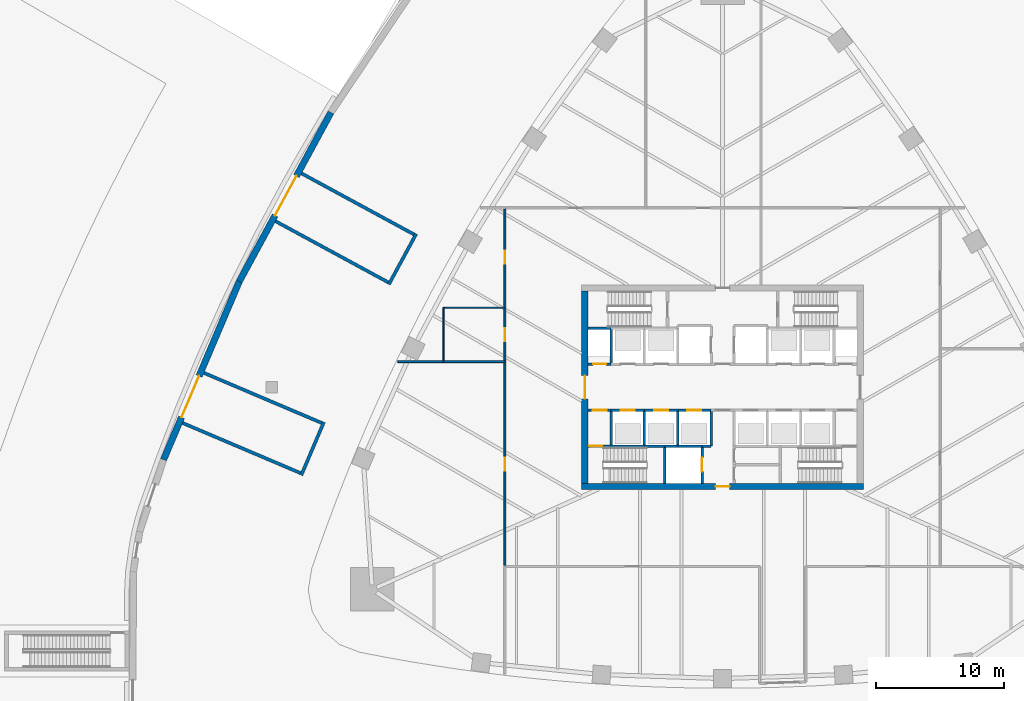
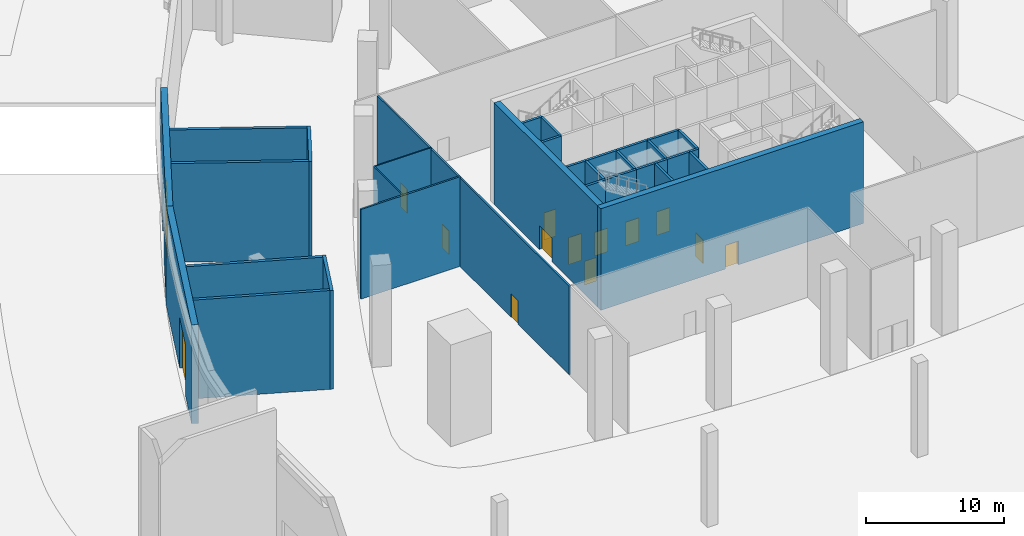
# One storey, part 11 of 29: 33 walls, 14 doors, 14 openings.
"""IFC4 building model written with IfcOpenShell, lengths in metres."""

from ifc_helpers import new_model, si_unit, direction, frame, frame_2d, origin, place, context, subcontext, project, spatial, rectangle, extrude, material, layer, layer_set, type_object, element, fill, save


model = new_model("IFC4")

# Units and contexts
model_context = context("Model", 3, precision=1e-05, world=origin(), true_north=direction((0.0, 1.0)))
body_context = subcontext(model_context, "Body", "Model", "MODEL_VIEW")
ifc_project = project(units=[si_unit("LENGTHUNIT", "METRE"), si_unit("AREAUNIT", "SQUARE_METRE"), si_unit("VOLUMEUNIT", "CUBIC_METRE"), si_unit("PLANEANGLEUNIT", "RADIAN"), si_unit("MASSUNIT", "GRAM", prefix="KILO")], contexts=[model_context])

# Site, building, storey
site_placement = place(None, origin())
site = spatial("IfcSite", under=ifc_project, at=site_placement, CompositionType="ELEMENT")
building_placement = place(site_placement, origin())
building = spatial("IfcBuilding", under=site, at=building_placement, Name="Sierra Prisma Convention Tower", CompositionType="ELEMENT")
storey_placement = place(building_placement, origin())
storey = spatial("IfcBuildingStorey", under=building, at=storey_placement, Name="L00", CompositionType="ELEMENT", Elevation=0.0)

# Walls
ifc_material_1 = material(Name="Gypsum board partition", Category="gypsum")
ifc_layer_1 = layer(ifc_material_1, 0.10009765625)
ifc_layer_set_1 = layer_set([ifc_layer_1], Name="Bathroom partition 100")
wall_type_1 = type_object("IfcWallType", Name="Bathroom partition 100", PredefinedType="PARTITIONING", material=ifc_layer_set_1)
wall_1_placement = place(storey_placement, frame((-21.800048828125, 2.030029296875, 0.0), z_axis=(0.0, 0.0, 1.0), x_axis=(0.0, 1.0, 0.0)))
element("IfcWall", 1, at=wall_1_placement, inside=storey, type_object=wall_type_1, Name="Partition L00 bath 1", PredefinedType="PARTITIONING", context=body_context, shape_type="SweptSolid", body=[
    extrude(rectangle(XDim=4.169921875, YDim=0.10009765625, at=frame_2d((2.0849609375, 0.0))), origin(), (0.0, 0.0, 1.0), 7.93994140625),
])
wall_2_placement = place(storey_placement, frame((-21.800048828125, 6.199951171875, 0.0), z_axis=(0.0, 0.0, 1.0), x_axis=(1.0, 0.0, 0.0)))
element("IfcWall", 2, at=wall_2_placement, inside=storey, type_object=wall_type_1, Name="Partition L00 bath 2", PredefinedType="PARTITIONING", context=body_context, shape_type="SweptSolid", body=[
    extrude(rectangle(XDim=4.77001953125, YDim=0.10009765625, at=frame_2d((2.385009765625, 0.0))), origin(), (0.0, 0.0, 1.0), 7.93994140625),
])

# Wall, opening, door
ifc_material_2 = material(Name="Concrete C30/37", Category="concrete")
ifc_layer_2 = layer(ifc_material_2, 0.199951171875)
ifc_layer_set_2 = layer_set([ifc_layer_2], Name="Core wall RC 200 C30/37")
wall_type_2 = type_object("IfcWallType", Name="Core wall RC 200 C30/37", PredefinedType="SOLIDWALL", material=ifc_layer_set_2)
wall_3_placement = place(storey_placement, frame((-10.5, -4.60009765625, 0.0), z_axis=(0.0, 0.0, 1.0), x_axis=(1.0, 0.0, 0.0)))
wall_3 = element("IfcWall", 3, at=wall_3_placement, inside=storey, type_object=wall_type_2, Name="Core wall L00 1", PredefinedType="SOLIDWALL", context=body_context, shape_type="SweptSolid", body=[
    extrude(rectangle(XDim=1.800048828125, YDim=0.199951171875, at=frame_2d((0.89990234375, 0.0))), origin(), (0.0, 0.0, 1.0), 8.75),
])
opening_1_placement = place(wall_3_placement, frame((0.10009765625, 0.0, 0.0)))
opening_1 = element("IfcOpeningElement", 4, at=opening_1_placement, cuts=wall_3, Name="Opening L00-D020", PredefinedType="OPENING", context=body_context, shape_type="SweptSolid", body=[
    extrude(rectangle(XDim=1.0, YDim=2.10009765625, at=frame_2d((0.5, 1.050048828125))), frame((0.0, 0.10009765625, 0.0), z_axis=(0.0, -1.0, 0.0), x_axis=(1.0, 0.0, 0.0)), (0.0, 0.0, 1.0), 0.199951171875),
])
ifc_material_3 = material(Name="Steel fire door leaf", Category="steel")
door_type_1 = type_object("IfcDoorType", Name="Door 1000x2100 FD90S", OperationType="SINGLE_SWING_LEFT", PredefinedType="DOOR", material=ifc_material_3)
door_1_placement = place(opening_1_placement, origin())
door_1 = element("IfcDoor", 5, at=door_1_placement, inside=storey, type_object=door_type_1, Name="Door L00 32", OperationType="SINGLE_SWING_LEFT", OverallHeight=2.10009765625, OverallWidth=1.0, PredefinedType="DOOR", context=body_context, shape_type="SweptSolid", body=[
    extrude(rectangle(XDim=1.0, YDim=2.10009765625, at=frame_2d((0.5, 1.050048828125))), frame((0.0, 0.02490234375, 0.0), z_axis=(0.0, -1.0, 0.0), x_axis=(1.0, 0.0, 0.0)), (0.0, 0.0, 1.0), 0.050048828125),
])
fill(opening_1, door_1)

wall_4_placement = place(storey_placement, frame((-10.5, -1.800048828125, 0.0), z_axis=(0.0, 0.0, 1.0), x_axis=(1.0, 0.0, 0.0)))
wall_4 = element("IfcWall", 6, at=wall_4_placement, inside=storey, type_object=wall_type_2, Name="Core wall L00 2", PredefinedType="SOLIDWALL", context=body_context, shape_type="SweptSolid", body=[
    extrude(rectangle(XDim=1.800048828125, YDim=0.199951171875, at=frame_2d((0.89990234375, 0.0))), origin(), (0.0, 0.0, 1.0), 8.75),
])
opening_2_placement = place(wall_4_placement, frame((0.35009765625, 0.0, 0.0)))
opening_2 = element("IfcOpeningElement", 7, at=opening_2_placement, cuts=wall_4, Name="Opening L00-D014", PredefinedType="OPENING", context=body_context, shape_type="SweptSolid", body=[
    extrude(rectangle(XDim=1.10009765625, YDim=2.39990234375, at=frame_2d((0.550048828125, 1.199951171875))), frame((0.0, 0.10009765625, 0.0), z_axis=(0.0, -1.0, 0.0), x_axis=(1.0, 0.0, 0.0)), (0.0, 0.0, 1.0), 0.199951171875),
])
ifc_material_4 = material(Name="Steel fire door leaf", Category="steel")
door_type_2 = type_object("IfcDoorType", Name="Door 1100x2400 FD90S", OperationType="SINGLE_SWING_LEFT", PredefinedType="DOOR", material=ifc_material_4)
door_2_placement = place(opening_2_placement, origin())
door_2 = element("IfcDoor", 8, at=door_2_placement, inside=storey, type_object=door_type_2, Name="Door L00 26", OperationType="SINGLE_SWING_LEFT", OverallHeight=2.39990234375, OverallWidth=1.10009765625, PredefinedType="DOOR", context=body_context, shape_type="SweptSolid", body=[
    extrude(rectangle(XDim=1.10009765625, YDim=2.39990234375, at=frame_2d((0.550048828125, 1.199951171875))), frame((0.0, 0.02490234375, 0.0), z_axis=(0.0, -1.0, 0.0), x_axis=(1.0, 0.0, 0.0)), (0.0, 0.0, 1.0), 0.050048828125),
])
fill(opening_2, door_2)

wall_5_placement = place(storey_placement, frame((-8.699951171875, 1.800048828125, 0.0), z_axis=(0.0, 0.0, 1.0), x_axis=(-1.0, 0.0, 0.0)))
wall_5 = element("IfcWall", 9, at=wall_5_placement, inside=storey, type_object=wall_type_2, Name="Core wall L00 3", PredefinedType="SOLIDWALL", context=body_context, shape_type="SweptSolid", body=[
    extrude(rectangle(XDim=1.800048828125, YDim=0.199951171875, at=frame_2d((0.89990234375, 0.0))), origin(), (0.0, 0.0, 1.0), 8.75),
])
opening_3_placement = place(wall_5_placement, frame((0.39990234375, 0.0, 0.0)))
opening_3 = element("IfcOpeningElement", 10, at=opening_3_placement, cuts=wall_5, Name="Opening L00-D018", PredefinedType="OPENING", context=body_context, shape_type="SweptSolid", body=[
    extrude(rectangle(XDim=1.0, YDim=2.39990234375, at=frame_2d((0.5, 1.199951171875))), frame((0.0, 0.10009765625, 0.0), z_axis=(0.0, -1.0, 0.0), x_axis=(1.0, 0.0, 0.0)), (0.0, 0.0, 1.0), 0.199951171875),
])
ifc_material_5 = material(Name="Steel fire door leaf", Category="steel")
door_type_3 = type_object("IfcDoorType", Name="Door 1000x2400 FD60S", OperationType="SINGLE_SWING_LEFT", PredefinedType="DOOR", material=ifc_material_5)
door_3_placement = place(opening_3_placement, origin())
door_3 = element("IfcDoor", 11, at=door_3_placement, inside=storey, type_object=door_type_3, Name="Door L00 30", OperationType="SINGLE_SWING_LEFT", OverallHeight=2.39990234375, OverallWidth=1.0, PredefinedType="DOOR", context=body_context, shape_type="SweptSolid", body=[
    extrude(rectangle(XDim=1.0, YDim=2.39990234375, at=frame_2d((0.5, 1.199951171875))), frame((0.0, 0.02490234375, 0.0), z_axis=(0.0, -1.0, 0.0), x_axis=(1.0, 0.0, 0.0)), (0.0, 0.0, 1.0), 0.050048828125),
])
fill(opening_3, door_3)

# Walls
wall_6_placement = place(storey_placement, frame((-8.699951171875, 4.60009765625, 0.0), z_axis=(0.0, 0.0, 1.0), x_axis=(-1.0, 0.0, 0.0)))
element("IfcWall", 12, at=wall_6_placement, inside=storey, type_object=wall_type_2, Name="Core wall L00 4", PredefinedType="SOLIDWALL", context=body_context, shape_type="SweptSolid", body=[
    extrude(rectangle(XDim=1.800048828125, YDim=0.199951171875, at=frame_2d((0.89990234375, 0.0))), origin(), (0.0, 0.0, 1.0), 8.75),
])
wall_7_placement = place(storey_placement, frame((-8.699951171875, -4.60009765625, 0.0), z_axis=(0.0, 0.0, 1.0), x_axis=(1.0, 0.0, 0.0)))
element("IfcWall", 13, at=wall_7_placement, inside=storey, type_object=wall_type_2, Name="Core wall L00 5", PredefinedType="SOLIDWALL", context=body_context, shape_type="SweptSolid", body=[
    extrude(rectangle(XDim=2.599853515625, YDim=0.199951171875, at=frame_2d((1.2998046875, 0.0))), origin(), (0.0, 0.0, 1.0), 8.75),
])
wall_8_placement = place(storey_placement, frame((-8.699951171875, -4.60009765625, 0.0), z_axis=(0.0, 0.0, 1.0), x_axis=(0.0, 1.0, 0.0)))
element("IfcWall", 14, at=wall_8_placement, inside=storey, type_object=wall_type_2, Name="Core wall L00 6", PredefinedType="SOLIDWALL", context=body_context, shape_type="SweptSolid", body=[
    extrude(rectangle(XDim=2.800048828125, YDim=0.199951171875, at=frame_2d((1.39990234375, 0.0))), origin(), (0.0, 0.0, 1.0), 8.75),
])

# Wall, opening, door
wall_9_placement = place(storey_placement, frame((-8.699951171875, -1.800048828125, 0.0), z_axis=(0.0, 0.0, 1.0), x_axis=(1.0, 0.0, 0.0)))
wall_9 = element("IfcWall", 15, at=wall_9_placement, inside=storey, type_object=wall_type_2, Name="Core wall L00 7", PredefinedType="SOLIDWALL", context=body_context, shape_type="SweptSolid", body=[
    extrude(rectangle(XDim=2.599853515625, YDim=0.199951171875, at=frame_2d((1.2998046875, 0.0))), origin(), (0.0, 0.0, 1.0), 8.75),
])
opening_4_placement = place(wall_9_placement, frame((0.75, 0.0, 0.0)))
opening_4 = element("IfcOpeningElement", 16, at=opening_4_placement, cuts=wall_9, Name="Opening L00-D001", PredefinedType="OPENING", context=body_context, shape_type="SweptSolid", body=[
    extrude(rectangle(XDim=1.10009765625, YDim=2.10009765625, at=frame_2d((0.550048828125, 1.050048828125))), frame((0.0, 0.10009765625, 0.0), z_axis=(0.0, -1.0, 0.0), x_axis=(1.0, 0.0, 0.0)), (0.0, 0.0, 1.0), 0.199951171875),
])
ifc_material_6 = material(Name="Steel fire door leaf", Category="steel")
door_type_4 = type_object("IfcDoorType", Name="Door 1100x2100 EI 90 sliding lift landing", OperationType="SLIDING_TO_LEFT", PredefinedType="DOOR", material=ifc_material_6)
door_4_placement = place(opening_4_placement, origin())
door_4 = element("IfcDoor", 17, at=door_4_placement, inside=storey, type_object=door_type_4, Name="Door L00 13", OperationType="SLIDING_TO_LEFT", OverallHeight=2.10009765625, OverallWidth=1.10009765625, PredefinedType="DOOR", context=body_context, shape_type="SweptSolid", body=[
    extrude(rectangle(XDim=1.10009765625, YDim=2.10009765625, at=frame_2d((0.550048828125, 1.050048828125))), frame((0.0, 0.02490234375, 0.0), z_axis=(0.0, -1.0, 0.0), x_axis=(1.0, 0.0, 0.0)), (0.0, 0.0, 1.0), 0.050048828125),
])
fill(opening_4, door_4)

# Walls
wall_10_placement = place(storey_placement, frame((-8.699951171875, 1.800048828125, 0.0), z_axis=(0.0, 0.0, 1.0), x_axis=(0.0, 1.0, 0.0)))
element("IfcWall", 18, at=wall_10_placement, inside=storey, type_object=wall_type_2, Name="Core wall L00 9", PredefinedType="SOLIDWALL", context=body_context, shape_type="SweptSolid", body=[
    extrude(rectangle(XDim=2.800048828125, YDim=0.199951171875, at=frame_2d((1.39990234375, 0.0))), origin(), (0.0, 0.0, 1.0), 8.75),
])
wall_11_placement = place(storey_placement, frame((-6.10009765625, -4.60009765625, 0.0), z_axis=(0.0, 0.0, 1.0), x_axis=(1.0, 0.0, 0.0)))
element("IfcWall", 19, at=wall_11_placement, inside=storey, type_object=wall_type_2, Name="Core wall L00 11", PredefinedType="SOLIDWALL", context=body_context, shape_type="SweptSolid", body=[
    extrude(rectangle(XDim=1.60009765625, YDim=0.199951171875, at=frame_2d((0.800048828125, 0.0))), origin(), (0.0, 0.0, 1.0), 8.75),
])
wall_12_placement = place(storey_placement, frame((-6.10009765625, -4.60009765625, 0.0), z_axis=(0.0, 0.0, 1.0), x_axis=(0.0, 1.0, 0.0)))
element("IfcWall", 20, at=wall_12_placement, inside=storey, type_object=wall_type_2, Name="Core wall L00 12", PredefinedType="SOLIDWALL", context=body_context, shape_type="SweptSolid", body=[
    extrude(rectangle(XDim=2.800048828125, YDim=0.199951171875, at=frame_2d((1.39990234375, 0.0))), origin(), (0.0, 0.0, 1.0), 8.75),
])

# Wall, opening, door
wall_13_placement = place(storey_placement, frame((-6.10009765625, -1.800048828125, 0.0), z_axis=(0.0, 0.0, 1.0), x_axis=(1.0, 0.0, 0.0)))
wall_13 = element("IfcWall", 21, at=wall_13_placement, inside=storey, type_object=wall_type_2, Name="Core wall L00 13", PredefinedType="SOLIDWALL", context=body_context, shape_type="SweptSolid", body=[
    extrude(rectangle(XDim=2.60009765625, YDim=0.199951171875, at=frame_2d((1.300048828125, 0.0))), origin(), (0.0, 0.0, 1.0), 8.75),
])
opening_5_placement = place(wall_13_placement, frame((0.75, 0.0, 0.0)))
opening_5 = element("IfcOpeningElement", 22, at=opening_5_placement, cuts=wall_13, Name="Opening L00-D002", PredefinedType="OPENING", context=body_context, shape_type="SweptSolid", body=[
    extrude(rectangle(XDim=1.10009765625, YDim=2.10009765625, at=frame_2d((0.550048828125, 1.050048828125))), frame((0.0, 0.10009765625, 0.0), z_axis=(0.0, -1.0, 0.0), x_axis=(1.0, 0.0, 0.0)), (0.0, 0.0, 1.0), 0.199951171875),
])
door_5_placement = place(opening_5_placement, origin())
door_5 = element("IfcDoor", 23, at=door_5_placement, inside=storey, type_object=door_type_4, Name="Door L00 14", OperationType="SLIDING_TO_RIGHT", OverallHeight=2.10009765625, OverallWidth=1.10009765625, PredefinedType="DOOR", context=body_context, shape_type="SweptSolid", body=[
    extrude(rectangle(XDim=1.10009765625, YDim=2.10009765625, at=frame_2d((0.550048828125, 1.050048828125))), frame((0.0, 0.02490234375, 0.0), z_axis=(0.0, -1.0, 0.0), x_axis=(1.0, 0.0, 0.0)), (0.0, 0.0, 1.0), 0.050048828125),
])
fill(opening_5, door_5)

# Walls
wall_14_placement = place(storey_placement, frame((-4.5, -4.60009765625, 0.0), z_axis=(0.0, 0.0, 1.0), x_axis=(0.0, -1.0, 0.0)))
element("IfcWall", 24, at=wall_14_placement, inside=storey, type_object=wall_type_2, Name="Core wall L00 17", PredefinedType="SOLIDWALL", context=body_context, shape_type="SweptSolid", body=[
    extrude(rectangle(XDim=2.89990234375, YDim=0.199951171875, at=frame_2d((1.449951171875, 0.0))), origin(), (0.0, 0.0, 1.0), 8.75),
])
wall_15_placement = place(storey_placement, frame((-4.5, -4.60009765625, 0.0), z_axis=(0.0, 0.0, 1.0), x_axis=(1.0, 0.0, 0.0)))
element("IfcWall", 25, at=wall_15_placement, inside=storey, type_object=wall_type_2, Name="Core wall L00 18", PredefinedType="SOLIDWALL", context=body_context, shape_type="SweptSolid", body=[
    extrude(rectangle(XDim=1.0, YDim=0.199951171875, at=frame_2d((0.5, 0.0))), origin(), (0.0, 0.0, 1.0), 8.75),
])
wall_16_placement = place(storey_placement, frame((-3.5, -4.60009765625, 0.0), z_axis=(0.0, 0.0, 1.0), x_axis=(1.0, 0.0, 0.0)))
element("IfcWall", 26, at=wall_16_placement, inside=storey, type_object=wall_type_2, Name="Core wall L00 21", PredefinedType="SOLIDWALL", context=body_context, shape_type="SweptSolid", body=[
    extrude(rectangle(XDim=1.89990234375, YDim=0.199951171875, at=frame_2d((0.949951171875, 0.0))), origin(), (0.0, 0.0, 1.0), 8.75),
])
wall_17_placement = place(storey_placement, frame((-3.5, -4.60009765625, 0.0), z_axis=(0.0, 0.0, 1.0), x_axis=(0.0, 1.0, 0.0)))
element("IfcWall", 27, at=wall_17_placement, inside=storey, type_object=wall_type_2, Name="Core wall L00 22", PredefinedType="SOLIDWALL", context=body_context, shape_type="SweptSolid", body=[
    extrude(rectangle(XDim=2.800048828125, YDim=0.199951171875, at=frame_2d((1.39990234375, 0.0))), origin(), (0.0, 0.0, 1.0), 8.75),
])

# Wall, opening, door
wall_18_placement = place(storey_placement, frame((-3.5, -1.800048828125, 0.0), z_axis=(0.0, 0.0, 1.0), x_axis=(1.0, 0.0, 0.0)))
wall_18 = element("IfcWall", 28, at=wall_18_placement, inside=storey, type_object=wall_type_2, Name="Core wall L00 23", PredefinedType="SOLIDWALL", context=body_context, shape_type="SweptSolid", body=[
    extrude(rectangle(XDim=2.60009765625, YDim=0.199951171875, at=frame_2d((1.300048828125, 0.0))), origin(), (0.0, 0.0, 1.0), 8.75),
])
opening_6_placement = place(wall_18_placement, frame((0.75, 0.0, 0.0)))
opening_6 = element("IfcOpeningElement", 29, at=opening_6_placement, cuts=wall_18, Name="Opening L00-D003", PredefinedType="OPENING", context=body_context, shape_type="SweptSolid", body=[
    extrude(rectangle(XDim=1.10009765625, YDim=2.10009765625, at=frame_2d((0.550048828125, 1.050048828125))), frame((0.0, 0.10009765625, 0.0), z_axis=(0.0, -1.0, 0.0), x_axis=(1.0, 0.0, 0.0)), (0.0, 0.0, 1.0), 0.199951171875),
])
door_6_placement = place(opening_6_placement, origin())
door_6 = element("IfcDoor", 30, at=door_6_placement, inside=storey, type_object=door_type_4, Name="Door L00 15", OperationType="SLIDING_TO_RIGHT", OverallHeight=2.10009765625, OverallWidth=1.10009765625, PredefinedType="DOOR", context=body_context, shape_type="SweptSolid", body=[
    extrude(rectangle(XDim=1.10009765625, YDim=2.10009765625, at=frame_2d((0.550048828125, 1.050048828125))), frame((0.0, 0.02490234375, 0.0), z_axis=(0.0, -1.0, 0.0), x_axis=(1.0, 0.0, 0.0)), (0.0, 0.0, 1.0), 0.050048828125),
])
fill(opening_6, door_6)

wall_19_placement = place(storey_placement, frame((-1.60009765625, -7.5, 0.0), z_axis=(0.0, 0.0, 1.0), x_axis=(0.0, 1.0, 0.0)))
wall_19 = element("IfcWall", 31, at=wall_19_placement, inside=storey, type_object=wall_type_2, Name="Core wall L00 29", PredefinedType="SOLIDWALL", context=body_context, shape_type="SweptSolid", body=[
    extrude(rectangle(XDim=2.89990234375, YDim=0.199951171875, at=frame_2d((1.449951171875, 0.0))), origin(), (0.0, 0.0, 1.0), 8.75),
])
opening_7_placement = place(wall_19_placement, frame((0.89990234375, 0.0, 0.0)))
opening_7 = element("IfcOpeningElement", 32, at=opening_7_placement, cuts=wall_19, Name="Opening L00-D013", PredefinedType="OPENING", context=body_context, shape_type="SweptSolid", body=[
    extrude(rectangle(XDim=1.10009765625, YDim=2.10009765625, at=frame_2d((0.550048828125, 1.050048828125))), frame((0.0, 0.10009765625, 0.0), z_axis=(0.0, -1.0, 0.0), x_axis=(1.0, 0.0, 0.0)), (0.0, 0.0, 1.0), 0.199951171875),
])
door_7_placement = place(opening_7_placement, origin())
door_7 = element("IfcDoor", 33, at=door_7_placement, inside=storey, type_object=door_type_4, Name="Door L00 25", OperationType="SLIDING_TO_RIGHT", OverallHeight=2.10009765625, OverallWidth=1.10009765625, PredefinedType="DOOR", context=body_context, shape_type="SweptSolid", body=[
    extrude(rectangle(XDim=1.10009765625, YDim=2.10009765625, at=frame_2d((0.550048828125, 1.050048828125))), frame((0.0, 0.02490234375, 0.0), z_axis=(0.0, -1.0, 0.0), x_axis=(1.0, 0.0, 0.0)), (0.0, 0.0, 1.0), 0.050048828125),
])
fill(opening_7, door_7)

# Walls
wall_20_placement = place(storey_placement, frame((-1.60009765625, -4.60009765625, 0.0), z_axis=(0.0, 0.0, 1.0), x_axis=(1.0, 0.0, 0.0)))
element("IfcWall", 34, at=wall_20_placement, inside=storey, type_object=wall_type_2, Name="Core wall L00 30", PredefinedType="SOLIDWALL", context=body_context, shape_type="SweptSolid", body=[
    extrude(rectangle(XDim=0.7001953125, YDim=0.199951171875, at=frame_2d((0.35009765625, 0.0))), origin(), (0.0, 0.0, 1.0), 8.75),
])
wall_21_placement = place(storey_placement, frame((-0.89990234375, -4.60009765625, 0.0), z_axis=(0.0, 0.0, 1.0), x_axis=(0.0, 1.0, 0.0)))
element("IfcWall", 35, at=wall_21_placement, inside=storey, type_object=wall_type_2, Name="Core wall L00 31", PredefinedType="SOLIDWALL", context=body_context, shape_type="SweptSolid", body=[
    extrude(rectangle(XDim=2.800048828125, YDim=0.199951171875, at=frame_2d((1.39990234375, 0.0))), origin(), (0.0, 0.0, 1.0), 8.75),
])

# Wall, opening, door
ifc_material_7 = material(Name="Concrete C70/85", Category="concrete")
ifc_layer_3 = layer(ifc_material_7, 0.5)
ifc_layer_set_3 = layer_set([ifc_layer_3], Name="Core wall RC 500 C70/85")
wall_type_3 = type_object("IfcWallType", Name="Core wall RC 500 C70/85", PredefinedType="SHEAR", material=ifc_layer_set_3)
wall_22_placement = place(storey_placement, frame((-11.0, -7.75, 0.0), z_axis=(0.0, 0.0, 1.0), x_axis=(1.0, 0.0, 0.0)))
wall_22 = element("IfcWall", 36, at=wall_22_placement, inside=storey, type_object=wall_type_3, Name="Core wall S L00", PredefinedType="SHEAR", context=body_context, shape_type="SweptSolid", body=[
    extrude(rectangle(XDim=22.0, YDim=0.5, at=frame_2d((11.0, 0.0))), origin(), (0.0, 0.0, 1.0), 9.0),
])
opening_8_placement = place(wall_22_placement, frame((10.449951171875, 0.0, 0.0)))
opening_8 = element("IfcOpeningElement", 37, at=opening_8_placement, cuts=wall_22, Name="Opening L00-D068", PredefinedType="OPENING", context=body_context, shape_type="SweptSolid", body=[
    extrude(rectangle(XDim=1.10009765625, YDim=2.10009765625, at=frame_2d((0.550048828125, 1.050048828125))), frame((0.0, 0.25, 0.0), z_axis=(0.0, -1.0, 0.0), x_axis=(1.0, 0.0, 0.0)), (0.0, 0.0, 1.0), 0.5),
])
ifc_material_8 = material(Name="Steel fire door leaf", Category="steel")
door_type_5 = type_object("IfcDoorType", Name="Door 1100x2100 FD30S", OperationType="SINGLE_SWING_LEFT", PredefinedType="DOOR", material=ifc_material_8)
door_8_placement = place(opening_8_placement, origin())
door_8 = element("IfcDoor", 38, at=door_8_placement, inside=storey, type_object=door_type_5, Name="Door L00 41", OperationType="SINGLE_SWING_RIGHT", OverallHeight=2.10009765625, OverallWidth=1.10009765625, PredefinedType="DOOR", context=body_context, shape_type="SweptSolid", body=[
    extrude(rectangle(XDim=1.10009765625, YDim=2.10009765625, at=frame_2d((0.550048828125, 1.050048828125))), frame((0.0, 0.02490234375, 0.0), z_axis=(0.0, -1.0, 0.0), x_axis=(1.0, 0.0, 0.0)), (0.0, 0.0, 1.0), 0.050048828125),
])
fill(opening_8, door_8)

wall_23_placement = place(storey_placement, frame((-10.75, -7.5, 0.0), z_axis=(0.0, 0.0, 1.0), x_axis=(0.0, 1.0, 0.0)))
wall_23 = element("IfcWall", 39, at=wall_23_placement, inside=storey, type_object=wall_type_3, Name="Core wall W L00", PredefinedType="SHEAR", context=body_context, shape_type="SweptSolid", body=[
    extrude(rectangle(XDim=15.0, YDim=0.5, at=frame_2d((7.5, 0.0))), origin(), (0.0, 0.0, 1.0), 9.0),
])
opening_9_placement = place(wall_23_placement, frame((6.60009765625, 0.0, 0.0)))
opening_9 = element("IfcOpeningElement", 40, at=opening_9_placement, cuts=wall_23, Name="Opening L00-D069", PredefinedType="OPENING", context=body_context, shape_type="SweptSolid", body=[
    extrude(rectangle(XDim=1.800048828125, YDim=2.10009765625, at=frame_2d((0.89990234375, 1.050048828125))), frame((0.0, 0.25, 0.0), z_axis=(0.0, -1.0, 0.0), x_axis=(1.0, 0.0, 0.0)), (0.0, 0.0, 1.0), 0.5),
])
ifc_material_9 = material(Name="Steel fire door leaf", Category="steel")
door_type_6 = type_object("IfcDoorType", Name="Door 1800x2100 FD60S", OperationType="DOUBLE_DOOR_SINGLE_SWING", PredefinedType="DOOR", material=ifc_material_9)
door_9_placement = place(opening_9_placement, origin())
door_9 = element("IfcDoor", 41, at=door_9_placement, inside=storey, type_object=door_type_6, Name="Door L00 38", OperationType="DOUBLE_DOOR_SINGLE_SWING", OverallHeight=2.10009765625, OverallWidth=1.800048828125, PredefinedType="DOOR", context=body_context, shape_type="SweptSolid", body=[
    extrude(rectangle(XDim=1.800048828125, YDim=2.10009765625, at=frame_2d((0.89990234375, 1.050048828125))), frame((0.0, 0.02490234375, 0.0), z_axis=(0.0, -1.0, 0.0), x_axis=(1.0, 0.0, 0.0)), (0.0, 0.0, 1.0), 0.050048828125),
])
fill(opening_9, door_9)

# Wall, openings, doors
ifc_material_10 = material(Name="Gypsum board partition", Category="gypsum")
ifc_layer_4 = layer(ifc_material_10, 0.14990234375)
ifc_layer_set_4 = layer_set([ifc_layer_4], Name="Corridor wall 150 gypsum EI 60")
wall_type_4 = type_object("IfcWallType", Name="Corridor wall 150 gypsum EI 60", PredefinedType="PARTITIONING", material=ifc_layer_set_4)
wall_24_placement = place(storey_placement, frame((-17.0, 13.919921875, 0.0), z_axis=(0.0, 0.0, 1.0), x_axis=(0.0, -1.0, 0.0)))
wall_24 = element("IfcWall", 42, at=wall_24_placement, inside=storey, type_object=wall_type_4, Name="Partition L00 corr 1", PredefinedType="PARTITIONING", context=body_context, shape_type="SweptSolid", body=[
    extrude(rectangle(XDim=27.83984375, YDim=0.14990234375, at=frame_2d((13.919921875, 0.0))), origin(), (0.0, 0.0, 1.0), 7.846923828125),
])
opening_10_placement = place(wall_24_placement, frame((9.320068359375, 0.0, 0.0)))
opening_10 = element("IfcOpeningElement", 43, at=opening_10_placement, cuts=wall_24, Name="Opening L00-D030", PredefinedType="OPENING", context=body_context, shape_type="SweptSolid", body=[
    extrude(rectangle(XDim=1.0, YDim=2.10009765625, at=frame_2d((0.5, 1.050048828125))), frame((0.0, 0.074951171875, 0.0), z_axis=(0.0, -1.0, 0.0), x_axis=(1.0, 0.0, 0.0)), (0.0, 0.0, 1.0), 0.14990234375),
])
opening_11_placement = place(wall_24_placement, frame((3.27001953125, 0.0, 0.0)))
opening_11 = element("IfcOpeningElement", 44, at=opening_11_placement, cuts=wall_24, Name="Opening L00-D031", PredefinedType="OPENING", context=body_context, shape_type="SweptSolid", body=[
    extrude(rectangle(XDim=1.0, YDim=2.10009765625, at=frame_2d((0.5, 1.050048828125))), frame((0.0, 0.074951171875, 0.0), z_axis=(0.0, -1.0, 0.0), x_axis=(1.0, 0.0, 0.0)), (0.0, 0.0, 1.0), 0.14990234375),
])
opening_12_placement = place(wall_24_placement, frame((19.429931640625, 0.0, 0.0)))
opening_12 = element("IfcOpeningElement", 45, at=opening_12_placement, cuts=wall_24, Name="Opening L00-D032", PredefinedType="OPENING", context=body_context, shape_type="SweptSolid", body=[
    extrude(rectangle(XDim=1.0, YDim=2.10009765625, at=frame_2d((0.5, 1.050048828125))), frame((0.0, 0.074951171875, 0.0), z_axis=(0.0, -1.0, 0.0), x_axis=(1.0, 0.0, 0.0)), (0.0, 0.0, 1.0), 0.14990234375),
])
ifc_material_11 = material(Name="Steel fire door leaf", Category="steel")
door_type_7 = type_object("IfcDoorType", Name="Door 1000x2100 FD30S", OperationType="SINGLE_SWING_LEFT", PredefinedType="DOOR", material=ifc_material_11)
door_10_placement = place(opening_10_placement, origin())
door_10 = element("IfcDoor", 46, at=door_10_placement, inside=storey, type_object=door_type_7, Name="Door L00 5", OperationType="SINGLE_SWING_LEFT", OverallHeight=2.10009765625, OverallWidth=1.0, PredefinedType="DOOR", context=body_context, shape_type="SweptSolid", body=[
    extrude(rectangle(XDim=1.0, YDim=2.10009765625, at=frame_2d((0.5, 1.050048828125))), frame((0.0, 0.02490234375, 0.0), z_axis=(0.0, -1.0, 0.0), x_axis=(1.0, 0.0, 0.0)), (0.0, 0.0, 1.0), 0.050048828125),
])
fill(opening_10, door_10)
door_11_placement = place(opening_11_placement, origin())
door_11 = element("IfcDoor", 47, at=door_11_placement, inside=storey, type_object=door_type_7, Name="Door L00 6", OperationType="SINGLE_SWING_RIGHT", OverallHeight=2.10009765625, OverallWidth=1.0, PredefinedType="DOOR", context=body_context, shape_type="SweptSolid", body=[
    extrude(rectangle(XDim=1.0, YDim=2.10009765625, at=frame_2d((0.5, 1.050048828125))), frame((0.0, 0.02490234375, 0.0), z_axis=(0.0, -1.0, 0.0), x_axis=(1.0, 0.0, 0.0)), (0.0, 0.0, 1.0), 0.050048828125),
])
fill(opening_11, door_11)
door_12_placement = place(opening_12_placement, origin())
door_12 = element("IfcDoor", 48, at=door_12_placement, inside=storey, type_object=door_type_7, Name="Door L00 7", OperationType="SINGLE_SWING_LEFT", OverallHeight=2.10009765625, OverallWidth=1.0, PredefinedType="DOOR", context=body_context, shape_type="SweptSolid", body=[
    extrude(rectangle(XDim=1.0, YDim=2.10009765625, at=frame_2d((0.5, 1.050048828125))), frame((0.0, 0.02490234375, 0.0), z_axis=(0.0, -1.0, 0.0), x_axis=(1.0, 0.0, 0.0)), (0.0, 0.0, 1.0), 0.050048828125),
])
fill(opening_12, door_12)

# Walls
ifc_material_12 = material(Name="Concrete C40/50, exposed finish", Category="concrete")
ifc_layer_5 = layer(ifc_material_12, 0.25)
ifc_layer_set_5 = layer_set([ifc_layer_5], Name="Dock bay wall 250")
wall_type_5 = type_object("IfcWallType", Name="Dock bay wall 250", PredefinedType="STANDARD", material=ifc_layer_set_5)
wall_25_placement = place(storey_placement, frame((-34.9072265625, 12.962646484375, 0.0), z_axis=(0.0, 0.0, 1.0), x_axis=(0.879024580486, -0.476776453803, 0.0)))
element("IfcWall", 49, at=wall_25_placement, inside=storey, type_object=wall_type_5, Name="Loading dock 1 side wall", PredefinedType="STANDARD", context=body_context, shape_type="SweptSolid", body=[
    extrude(rectangle(XDim=10.25, YDim=0.25, at=frame_2d((5.125, 0.0))), origin(), (0.0, 0.0, 1.0), 8.75),
])
wall_26_placement = place(storey_placement, frame((-32.881103515625, 16.698486328125, 0.0), z_axis=(0.0, 0.0, 1.0), x_axis=(0.879029994655, -0.476766471658, 0.0)))
element("IfcWall", 50, at=wall_26_placement, inside=storey, type_object=wall_type_5, Name="Loading dock 1 side wall", PredefinedType="STANDARD", context=body_context, shape_type="SweptSolid", body=[
    extrude(rectangle(XDim=10.250244140625, YDim=0.25, at=frame_2d((5.125, 0.0))), origin(), (0.0, 0.0, 1.0), 8.75),
])
wall_27_placement = place(storey_placement, frame((-26.066650390625, 8.025390625, 0.0), z_axis=(0.0, 0.0, 1.0), x_axis=(0.476782935346, 0.879021064914, 0.0)))
element("IfcWall", 51, at=wall_27_placement, inside=storey, type_object=wall_type_5, Name="Loading dock 1 end wall", PredefinedType="STANDARD", context=body_context, shape_type="SweptSolid", body=[
    extrude(rectangle(XDim=4.5, YDim=0.25, at=frame_2d((2.25, 0.0))), origin(), (0.0, 0.0, 1.0), 8.75),
])
wall_28_placement = place(storey_placement, frame((-42.166259765625, -2.793701171875, 0.0), z_axis=(0.0, 0.0, 1.0), x_axis=(0.920368854693, -0.391051366589, 0.0)))
element("IfcWall", 52, at=wall_28_placement, inside=storey, type_object=wall_type_5, Name="Loading dock 2 side wall", PredefinedType="STANDARD", context=body_context, shape_type="SweptSolid", body=[
    extrude(rectangle(XDim=10.25, YDim=0.25, at=frame_2d((5.125, 0.0))), origin(), (0.0, 0.0, 1.0), 8.75),
])
wall_29_placement = place(storey_placement, frame((-40.504150390625, 1.117919921875, 0.0), z_axis=(0.0, 0.0, 1.0), x_axis=(0.920365212228, -0.391059939295, 0.0)))
element("IfcWall", 53, at=wall_29_placement, inside=storey, type_object=wall_type_5, Name="Loading dock 2 side wall", PredefinedType="STANDARD", context=body_context, shape_type="SweptSolid", body=[
    extrude(rectangle(XDim=10.249755859375, YDim=0.25, at=frame_2d((5.125, 0.0))), origin(), (0.0, 0.0, 1.0), 8.75),
])
wall_30_placement = place(storey_placement, frame((-32.896484375, -6.8681640625, 0.0), z_axis=(0.0, 0.0, 1.0), x_axis=(0.391062517834, 0.920364116611, 0.0)))
element("IfcWall", 54, at=wall_30_placement, inside=storey, type_object=wall_type_5, Name="Loading dock 2 end wall", PredefinedType="STANDARD", context=body_context, shape_type="SweptSolid", body=[
    extrude(rectangle(XDim=4.5, YDim=0.25, at=frame_2d((2.25, 0.0))), origin(), (0.0, 0.0, 1.0), 8.75),
])

# Wall, opening, door
ifc_material_13 = material(Name="Concrete C40/50, ochre plaster finish", Category="concrete")
ifc_layer_6 = layer(ifc_material_13, 0.5)
ifc_layer_set_6 = layer_set([ifc_layer_6], Name="Ochre plastered wall 500")
wall_type_6 = type_object("IfcWallType", Name="Ochre plastered wall 500", PredefinedType="STANDARD", material=ifc_layer_set_6)
wall_31_placement = place(storey_placement, frame((-43.657470703125, -5.6640625, 0.0), z_axis=(0.0, 0.0, 1.0), x_axis=(0.391062095871, 0.920364295903, 0.0)))
wall_31 = element("IfcWall", 55, at=wall_31_placement, inside=storey, type_object=wall_type_6, Name="Plinth wall 44", PredefinedType="STANDARD", context=body_context, shape_type="SweptSolid", body=[
    extrude(rectangle(XDim=15.138671875, YDim=0.5, at=frame_2d((7.5693359375, 0.0))), origin(), (0.0, 0.0, 1.0), 8.75),
])
opening_13_placement = place(wall_31_placement, frame((3.60009765625, 0.0, 0.0)))
opening_13 = element("IfcOpeningElement", 56, at=opening_13_placement, cuts=wall_31, Name="Opening L00-D040", PredefinedType="OPENING", context=body_context, shape_type="SweptSolid", body=[
    extrude(rectangle(XDim=3.5, YDim=4.5, at=frame_2d((1.75, 2.25))), frame((0.0, 0.25, 0.0), z_axis=(0.0, -1.0, 0.0), x_axis=(1.0, 0.0, 0.0)), (0.0, 0.0, 1.0), 0.5),
])
ifc_material_14 = material(Name="Insulated steel sectional panels", Category="steel")
door_type_8 = type_object("IfcDoorType", Name="Loading dock door 3500 x 4500", OperationType="ROLLINGUP", PredefinedType="DOOR", material=ifc_material_14)
door_13_placement = place(opening_13_placement, origin())
door_13 = element("IfcDoor", 57, at=door_13_placement, inside=storey, type_object=door_type_8, Name="Loading dock door", OperationType="ROLLINGUP", OverallHeight=4.5, OverallWidth=3.5, PredefinedType="DOOR", context=body_context, shape_type="SweptSolid", body=[
    extrude(rectangle(XDim=3.5, YDim=4.5, at=frame_2d((1.75, 2.25))), frame((0.0, 0.02490234375, 0.0), z_axis=(0.0, -1.0, 0.0), x_axis=(1.0, 0.0, 0.0)), (0.0, 0.0, 1.0), 0.050048828125),
])
fill(opening_13, door_13)

# Wall
ifc_material_15 = material(Name="Gypsum board partition", Category="gypsum")
ifc_layer_7 = layer(ifc_material_15, 0.14990234375)
ifc_layer_set_7 = layer_set([ifc_layer_7], Name="Party wall 150 gypsum")
wall_type_7 = type_object("IfcWallType", Name="Party wall 150 gypsum", PredefinedType="PARTITIONING", material=ifc_layer_set_7)
wall_32_placement = place(storey_placement, frame((-17.0, 2.0, 0.0), z_axis=(0.0, 0.0, 1.0), x_axis=(-1.0, 0.0, 0.0)))
element("IfcWall", 58, at=wall_32_placement, inside=storey, type_object=wall_type_7, Name="Partition L00 party 1", PredefinedType="PARTITIONING", context=body_context, shape_type="SweptSolid", body=[
    extrude(rectangle(XDim=8.361328125, YDim=0.14990234375, at=frame_2d((4.1806640625, 0.0))), origin(), (0.0, 0.0, 1.0), 7.93994140625),
])

# Wall, opening, door
ifc_material_16 = material(Name="Concrete C40/50, rose plaster finish", Category="concrete")
ifc_layer_8 = layer(ifc_material_16, 0.5)
ifc_layer_set_8 = layer_set([ifc_layer_8], Name="Rose plastered wall 500")
wall_type_8 = type_object("IfcWallType", Name="Rose plastered wall 500", PredefinedType="STANDARD", material=ifc_layer_set_8)
wall_33_placement = place(storey_placement, frame((-37.7373046875, 8.26904296875, 0.0), z_axis=(0.0, 0.0, 1.0), x_axis=(0.476773695068, 0.879026076798, 0.0)))
wall_33 = element("IfcWall", 59, at=wall_33_placement, inside=storey, type_object=wall_type_8, Name="Plinth wall 43", PredefinedType="STANDARD", context=body_context, shape_type="SweptSolid", body=[
    extrude(rectangle(XDim=15.004638671875, YDim=0.5, at=frame_2d((7.50244140625, 0.0))), origin(), (0.0, 0.0, 1.0), 8.75),
])
opening_14_placement = place(wall_33_placement, frame((5.85009765625, 0.0, 0.0)))
opening_14 = element("IfcOpeningElement", 60, at=opening_14_placement, cuts=wall_33, Name="Opening L00-D039", PredefinedType="OPENING", context=body_context, shape_type="SweptSolid", body=[
    extrude(rectangle(XDim=3.5, YDim=4.5, at=frame_2d((1.75, 2.25))), frame((0.0, 0.25, 0.0), z_axis=(0.0, -1.0, 0.0), x_axis=(1.0, 0.0, 0.0)), (0.0, 0.0, 1.0), 0.5),
])
door_14_placement = place(opening_14_placement, origin())
door_14 = element("IfcDoor", 61, at=door_14_placement, inside=storey, type_object=door_type_8, Name="Loading dock door", OperationType="ROLLINGUP", OverallHeight=4.5, OverallWidth=3.5, PredefinedType="DOOR", context=body_context, shape_type="SweptSolid", body=[
    extrude(rectangle(XDim=3.5, YDim=4.5, at=frame_2d((1.75, 2.25))), frame((0.0, 0.02490234375, 0.0), z_axis=(0.0, -1.0, 0.0), x_axis=(1.0, 0.0, 0.0)), (0.0, 0.0, 1.0), 0.050048828125),
])
fill(opening_14, door_14)

save(model, "model.ifc")
